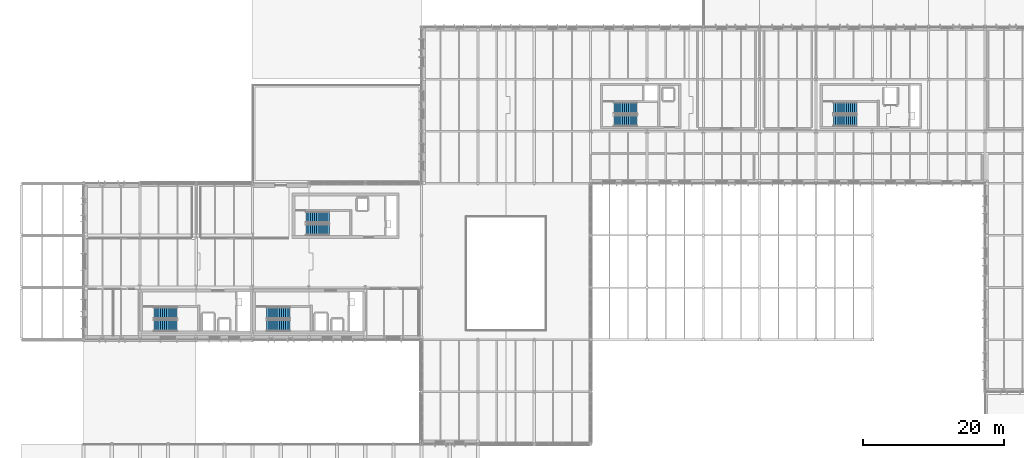
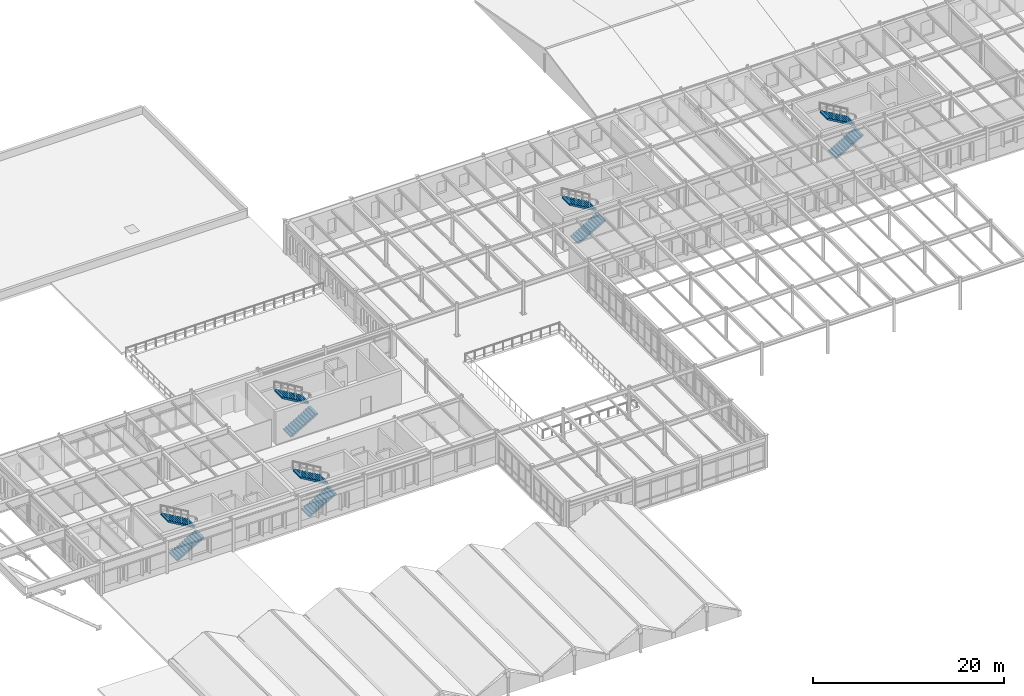
# One storey, part 48 of 63: 10 stair flights, 5 elements without a shape of their own.
"""IFC4 building model written with IfcOpenShell, lengths in metres."""

import ifcopenshell
import ifcopenshell.guid

model = None  # the IFC model being written
_history = None  # IfcOwnerHistory: only IFC2X3 demands one
_inside = {}  # id of a spatial element -> (the spatial element, [elements in it])
_under = {}  # id of a project, library or spatial element -> (it, [spatial elements below it])
_declared = {}  # id of a project -> (the project, [libraries it declares])
_typed = {}  # id of a type object -> (the type object, [elements of that type])
_made_of = {}  # id of a material, layer set ... -> (it, [elements and type objects made of it])


def new_model(schema):
    """Start an empty IFC model of exactly this schema.

    Asked for "IFC4X3", IfcOpenShell would pick the latest addendum, in which some entities
    have other attributes; the version numbers below select the first issue.
    IFC2X3 requires an IfcOwnerHistory on every rooted entity: one is made here for all.
    """
    global model, _history
    if schema == "IFC4X3":
        model = ifcopenshell.file(schema_version=(4, 3, 0, 0))
    else:
        model = ifcopenshell.file(schema=schema)
    _inside.clear()
    _under.clear()
    _declared.clear()
    _typed.clear()
    _made_of.clear()
    _history = None
    if model.schema == "IFC2X3":
        org = make("IfcOrganization", Name="unknown")
        user = make(
            "IfcPersonAndOrganization",
            ThePerson=make("IfcPerson", FamilyName="unknown"),
            TheOrganization=org,
        )
        app = make(
            "IfcApplication",
            ApplicationDeveloper=org,
            Version="unknown",
            ApplicationFullName="unknown",
            ApplicationIdentifier="unknown",
        )
        _history = make(
            "IfcOwnerHistory",
            OwningUser=user,
            OwningApplication=app,
            ChangeAction="ADDED",
            CreationDate=0,
        )
    return model


def make(cls, **values):
    """One entity of the class cls with the attributes given. An attribute that is None is left unset."""
    return model.create_entity(
        cls, **{name: value for name, value in values.items() if value is not None}
    )


def rooted(cls, **values):
    """An entity with a GlobalId (a new one), such as an element, a storey or a relation."""
    return make(cls, GlobalId=ifcopenshell.guid.new(), OwnerHistory=_history, **values)


def si_unit(unit_type, name, prefix=None):
    """IfcSIUnit, for example si_unit("LENGTHUNIT", "METRE", prefix="MILLI")."""
    return make("IfcSIUnit", UnitType=unit_type, Prefix=prefix, Name=name)


def assignment(units):
    """IfcUnitAssignment: the units of a project."""
    return None if units is None else make("IfcUnitAssignment", Units=units)


def point(xyz):
    """IfcCartesianPoint."""
    return None if xyz is None else make("IfcCartesianPoint", Coordinates=xyz)


def direction(xyz):
    """IfcDirection."""
    return None if xyz is None else make("IfcDirection", DirectionRatios=xyz)


def frame(location, z_axis=None, x_axis=None):
    """IfcAxis2Placement3D, a coordinate frame: its origin and axes. An axis left out is left unset."""
    return make(
        "IfcAxis2Placement3D",
        Location=point(location),
        Axis=direction(z_axis),
        RefDirection=direction(x_axis),
    )


def origin():
    """The frame at (0, 0, 0) with its axes left unset."""
    return frame((0.0, 0.0, 0.0))


def place(relative_to, where):
    """IfcLocalPlacement: puts the frame where relative to a parent placement (None: the world)."""
    return make(
        "IfcLocalPlacement", PlacementRelTo=relative_to, RelativePlacement=where
    )


def context(
    kind, dimensions, precision=None, world=None, true_north=None, identifier=None
):
    """IfcGeometricRepresentationContext, for example the 3D "Model" context."""
    return make(
        "IfcGeometricRepresentationContext",
        ContextIdentifier=identifier,
        ContextType=kind,
        CoordinateSpaceDimension=dimensions,
        Precision=precision,
        WorldCoordinateSystem=world,
        TrueNorth=true_north,
    )


def subcontext(parent, identifier, kind, view, scale=None):
    """IfcGeometricRepresentationSubContext, for example "Body" below "Model"."""
    return make(
        "IfcGeometricRepresentationSubContext",
        ContextIdentifier=identifier,
        ContextType=kind,
        ParentContext=parent,
        TargetScale=scale,
        TargetView=view,
    )


def project(units=None, contexts=None):
    """IfcProject with its units and contexts."""
    return rooted(
        "IfcProject",
        Name="project",
        RepresentationContexts=contexts,
        UnitsInContext=assignment(units),
    )


def spatial(cls, under=None, at=None, **own):
    """A site, building, storey or space (cls), placed at a placement, below another one or the project."""
    s = rooted(cls, ObjectPlacement=at, **own)
    if under is not None:
        _under.setdefault(under.id(), (under, []))[1].append(s)
    return s


def polyline(points):
    """IfcPolyline through the points."""
    return make("IfcPolyline", Points=[point(p) for p in points])


def outline(outer, holes=None, kind="AREA"):
    """IfcArbitraryClosedProfileDef: a profile drawn as a closed curve; with holes, ...WithVoids."""
    if holes is None:
        return make("IfcArbitraryClosedProfileDef", ProfileType=kind, OuterCurve=outer)
    return make(
        "IfcArbitraryProfileDefWithVoids",
        ProfileType=kind,
        OuterCurve=outer,
        InnerCurves=holes,
    )


def extrude(swept, where, along, depth):
    """IfcExtrudedAreaSolid: the profile swept, set in the frame where, extruded along a direction by depth."""
    return make(
        "IfcExtrudedAreaSolid",
        SweptArea=swept,
        Position=where,
        ExtrudedDirection=direction(along),
        Depth=depth,
    )


def shape(context_of_items, identifier, shape_type, items):
    """IfcShapeRepresentation: the items that make up one representation, for example the "Body"."""
    return make(
        "IfcShapeRepresentation",
        ContextOfItems=context_of_items,
        RepresentationIdentifier=identifier,
        RepresentationType=shape_type,
        Items=items,
    )


def material(Name=None, Category=None):
    """IfcMaterial."""
    return make("IfcMaterial", Name=Name, Category=Category)


def made_of(thing, what):
    """Note that an element or type object is made of a material, layer set ...; save() writes the relation."""
    if what is not None:
        _made_of.setdefault(what.id(), (what, []))[1].append(thing)
    return thing


def type_object(cls, material=None, **own):
    """A type object (cls), such as IfcWallType, which elements share."""
    return made_of(rooted(cls, **own), material)


def element(
    cls,
    number,
    at=None,
    inside=None,
    cuts=None,
    type_object=None,
    material=None,
    context=None,
    identifier="Body",
    shape_type=None,
    held_by="IfcProductDefinitionShape",
    body=None,
    shapes=None,
    **own,
):
    """One element of the class cls, such as IfcWall. Its Tag is "e" and its number.

    at: its placement. inside: the storey or other place that contains it. cuts: it is an
    opening in that element (IfcRelVoidsElement). A single representation is given by context,
    identifier, shape_type and body (its items); several are given by shapes. held_by: the class
    of the entity that holds the representations. save() writes the other relations.
    """
    e = rooted(cls, Tag="e%d" % number, ObjectPlacement=at, **own)
    if body is not None:
        shapes = [shape(context, identifier, shape_type, body)]
    if shapes is not None:
        e.Representation = make(held_by, Representations=shapes)
    if inside is not None:
        _inside.setdefault(inside.id(), (inside, []))[1].append(e)
    if cuts is not None:
        rooted(
            "IfcRelVoidsElement", RelatingBuildingElement=cuts, RelatedOpeningElement=e
        )
    if type_object is not None:
        _typed.setdefault(type_object.id(), (type_object, []))[1].append(e)
    return made_of(e, material)


def aggregate(whole, parts):
    """IfcRelAggregates: a whole, such as a stair, and the parts it consists of."""
    return rooted("IfcRelAggregates", RelatingObject=whole, RelatedObjects=parts)


def save(model, path):
    """Write the relations noted so far, then the file.

    IfcRelAggregates (storeys below a building ...), IfcRelContainedInSpatialStructure (elements
    in a storey), IfcRelDefinesByType, IfcRelAssociatesMaterial and IfcRelDeclares: one each for
    every whole, place, type object, material and project.
    """
    for whole, parts in _under.values():
        aggregate(whole, parts)
    for where, things in _inside.values():
        rooted(
            "IfcRelContainedInSpatialStructure",
            RelatedElements=things,
            RelatingStructure=where,
        )
    for kind, things in _typed.values():
        rooted("IfcRelDefinesByType", RelatedObjects=things, RelatingType=kind)
    for what, things in _made_of.values():
        rooted("IfcRelAssociatesMaterial", RelatedObjects=things, RelatingMaterial=what)
    for by, libraries in _declared.values():
        rooted("IfcRelDeclares", RelatingContext=by, RelatedDefinitions=libraries)
    model.write(path)


model = new_model("IFC4")

# Units and contexts
model_context = context("Model", 3, precision=1e-05, world=origin(), true_north=direction((0.0, 1.0)))
body_context = subcontext(model_context, "Body", "Model", "MODEL_VIEW")
ifc_project = project(units=[si_unit("LENGTHUNIT", "METRE"), si_unit("AREAUNIT", "SQUARE_METRE"), si_unit("VOLUMEUNIT", "CUBIC_METRE"), si_unit("PLANEANGLEUNIT", "RADIAN"), si_unit("MASSUNIT", "GRAM", prefix="KILO")], contexts=[model_context])

# Site, building, storey
site_placement = place(None, origin())
site = spatial("IfcSite", under=ifc_project, at=site_placement, CompositionType="ELEMENT")
building_placement = place(site_placement, origin())
building = spatial("IfcBuilding", under=site, at=building_placement, Name="Valkorina Park Police Headquarters", CompositionType="ELEMENT")
storey_placement = place(building_placement, frame((0.0, 0.0, 9.89990234375)))
storey = spatial("IfcBuildingStorey", under=building, at=storey_placement, Name="L03", CompositionType="ELEMENT", Elevation=9.89990234375)

# Stair, stair flights
ifc_material = material(Name="Concrete C35/45", Category="concrete")
stair_type = type_object("IfcStairType", Name="ST-DOGLEG-160-42", PredefinedType="HALF_TURN_STAIR", material=ifc_material)
stair_1_placement = place(storey_placement, origin())
stair_1 = element("IfcStair", 1, at=stair_1_placement, inside=storey, type_object=stair_type, Name="L03 Core C1 Protected Stair (ST-04)", PredefinedType="HALF_TURN_STAIR")
stair_flight_type = type_object("IfcStairFlightType", Name="STF-STRAIGHT-160-42", PredefinedType="STRAIGHT", material=ifc_material)
stair_flight_1_placement = place(storey_placement, frame((18.800048828125, 39.0, 0.0), z_axis=(0.0, 0.0, 1.0), x_axis=(1.0, 0.0, 0.0)))
stair_flight_1 = element("IfcStairFlight", 2, at=stair_flight_1_placement, type_object=stair_flight_type, Name="ST-04 flight 1", NumberOfRisers=12, NumberOfTreads=11, PredefinedType="STRAIGHT", RiserHeight=0.175, TreadLength=0.3, context=body_context, shape_type="SweptSolid", body=[
    extrude(outline(polyline([(0.0, 0.0), (0.0, 0.175048828125), (0.300048828125, 0.175048828125), (0.300048828125, 0.35009765625), (0.60009765625, 0.35009765625), (0.60009765625, 0.52490234375), (0.89990234375, 0.52490234375), (0.89990234375, 0.699951171875), (1.199951171875, 0.699951171875), (1.199951171875, 0.875), (1.5, 0.875), (1.5, 1.050048828125), (1.800048828125, 1.050048828125), (1.800048828125, 1.22509765625), (2.10009765625, 1.22509765625), (2.10009765625, 1.39990234375), (2.39990234375, 1.39990234375), (2.39990234375, 1.574951171875), (2.699951171875, 1.574951171875), (2.699951171875, 1.75), (3.0, 1.75), (3.0, 1.925048828125), (3.300048828125, 1.925048828125), (3.300048828125, 2.10009765625), (3.300048828125, 1.739990234375), (0.3173828125, 0.0), (0.0, 0.0)])), frame((0.0, 0.800048828125, 0.0), z_axis=(0.0, -1.0, 0.0), x_axis=(1.0, 0.0, 0.0)), (0.0, 0.0, 1.0), 1.60009765625),
])
stair_flight_2_placement = place(storey_placement, frame((22.10009765625, 40.800048828125, 2.10009765625), z_axis=(0.0, 0.0, 1.0), x_axis=(-1.0, 0.0, 0.0)))
stair_flight_2 = element("IfcStairFlight", 3, at=stair_flight_2_placement, type_object=stair_flight_type, Name="ST-04 flight 2", NumberOfRisers=12, NumberOfTreads=11, PredefinedType="STRAIGHT", RiserHeight=0.175, TreadLength=0.3, context=body_context, shape_type="SweptSolid", body=[
    extrude(outline(polyline([(0.0, 0.0), (0.0, 0.175048828125), (0.300048828125, 0.175048828125), (0.300048828125, 0.35009765625), (0.60009765625, 0.35009765625), (0.60009765625, 0.52490234375), (0.89990234375, 0.52490234375), (0.89990234375, 0.699951171875), (1.199951171875, 0.699951171875), (1.199951171875, 0.875), (1.5, 0.875), (1.5, 1.050048828125), (1.800048828125, 1.050048828125), (1.800048828125, 1.22509765625), (2.10009765625, 1.22509765625), (2.10009765625, 1.39990234375), (2.39990234375, 1.39990234375), (2.39990234375, 1.574951171875), (2.699951171875, 1.574951171875), (2.699951171875, 1.75), (3.0, 1.75), (3.0, 1.925048828125), (3.300048828125, 1.925048828125), (3.300048828125, 2.10009765625), (3.300048828125, 1.739990234375), (0.3173828125, 0.0), (0.0, 0.0)])), frame((0.0, 0.800048828125, 0.0), z_axis=(0.0, -1.0, 0.0), x_axis=(1.0, 0.0, 0.0)), (0.0, 0.0, 1.0), 1.60009765625),
])
aggregate(stair_1, [stair_flight_1, stair_flight_2])

stair_2_placement = place(storey_placement, origin())
stair_2 = element("IfcStair", 4, at=stair_2_placement, inside=storey, type_object=stair_type, Name="L03 Core C2 Protected Stair (ST-04)", PredefinedType="HALF_TURN_STAIR")
stair_flight_3_placement = place(storey_placement, frame((34.800048828125, 39.0, 0.0), z_axis=(0.0, 0.0, 1.0), x_axis=(1.0, 0.0, 0.0)))
stair_flight_3 = element("IfcStairFlight", 5, at=stair_flight_3_placement, type_object=stair_flight_type, Name="ST-04 flight 1", NumberOfRisers=12, NumberOfTreads=11, PredefinedType="STRAIGHT", RiserHeight=0.175, TreadLength=0.3, context=body_context, shape_type="SweptSolid", body=[
    extrude(outline(polyline([(0.0, 0.0), (0.0, 0.175048828125), (0.300048828125, 0.175048828125), (0.300048828125, 0.35009765625), (0.60009765625, 0.35009765625), (0.60009765625, 0.52490234375), (0.89990234375, 0.52490234375), (0.89990234375, 0.699951171875), (1.199951171875, 0.699951171875), (1.199951171875, 0.875), (1.5, 0.875), (1.5, 1.050048828125), (1.800048828125, 1.050048828125), (1.800048828125, 1.22509765625), (2.10009765625, 1.22509765625), (2.10009765625, 1.39990234375), (2.39990234375, 1.39990234375), (2.39990234375, 1.574951171875), (2.699951171875, 1.574951171875), (2.699951171875, 1.75), (3.0, 1.75), (3.0, 1.925048828125), (3.300048828125, 1.925048828125), (3.300048828125, 2.10009765625), (3.300048828125, 1.739990234375), (0.3173828125, 0.0), (0.0, 0.0)])), frame((0.0, 0.800048828125, 0.0), z_axis=(0.0, -1.0, 0.0), x_axis=(1.0, 0.0, 0.0)), (0.0, 0.0, 1.0), 1.60009765625),
])
stair_flight_4_placement = place(storey_placement, frame((38.10009765625, 40.800048828125, 2.10009765625), z_axis=(0.0, 0.0, 1.0), x_axis=(-1.0, 0.0, 0.0)))
stair_flight_4 = element("IfcStairFlight", 6, at=stair_flight_4_placement, type_object=stair_flight_type, Name="ST-04 flight 2", NumberOfRisers=12, NumberOfTreads=11, PredefinedType="STRAIGHT", RiserHeight=0.175, TreadLength=0.3, context=body_context, shape_type="SweptSolid", body=[
    extrude(outline(polyline([(0.0, 0.0), (0.0, 0.175048828125), (0.300048828125, 0.175048828125), (0.300048828125, 0.35009765625), (0.60009765625, 0.35009765625), (0.60009765625, 0.52490234375), (0.89990234375, 0.52490234375), (0.89990234375, 0.699951171875), (1.199951171875, 0.699951171875), (1.199951171875, 0.875), (1.5, 0.875), (1.5, 1.050048828125), (1.800048828125, 1.050048828125), (1.800048828125, 1.22509765625), (2.10009765625, 1.22509765625), (2.10009765625, 1.39990234375), (2.39990234375, 1.39990234375), (2.39990234375, 1.574951171875), (2.699951171875, 1.574951171875), (2.699951171875, 1.75), (3.0, 1.75), (3.0, 1.925048828125), (3.300048828125, 1.925048828125), (3.300048828125, 2.10009765625), (3.300048828125, 1.739990234375), (0.3173828125, 0.0), (0.0, 0.0)])), frame((0.0, 0.800048828125, 0.0), z_axis=(0.0, -1.0, 0.0), x_axis=(1.0, 0.0, 0.0)), (0.0, 0.0, 1.0), 1.60009765625),
])
aggregate(stair_2, [stair_flight_3, stair_flight_4])

stair_3_placement = place(storey_placement, origin())
stair_3 = element("IfcStair", 7, at=stair_3_placement, inside=storey, type_object=stair_type, Name="L03 Core C3 Protected Stair (ST-04)", PredefinedType="HALF_TURN_STAIR")
stair_flight_5_placement = place(storey_placement, frame((40.39990234375, 52.60009765625, 0.0), z_axis=(0.0, 0.0, 1.0), x_axis=(1.0, 0.0, 0.0)))
stair_flight_5 = element("IfcStairFlight", 8, at=stair_flight_5_placement, type_object=stair_flight_type, Name="ST-04 flight 1", NumberOfRisers=12, NumberOfTreads=11, PredefinedType="STRAIGHT", RiserHeight=0.175, TreadLength=0.3, context=body_context, shape_type="SweptSolid", body=[
    extrude(outline(polyline([(0.0, 0.0), (0.0, 0.175048828125), (0.300048828125, 0.175048828125), (0.300048828125, 0.35009765625), (0.60009765625, 0.35009765625), (0.60009765625, 0.52490234375), (0.89990234375, 0.52490234375), (0.89990234375, 0.699951171875), (1.199951171875, 0.699951171875), (1.199951171875, 0.875), (1.5, 0.875), (1.5, 1.050048828125), (1.800048828125, 1.050048828125), (1.800048828125, 1.22509765625), (2.10009765625, 1.22509765625), (2.10009765625, 1.39990234375), (2.39990234375, 1.39990234375), (2.39990234375, 1.574951171875), (2.699951171875, 1.574951171875), (2.699951171875, 1.75), (3.0, 1.75), (3.0, 1.925048828125), (3.300048828125, 1.925048828125), (3.300048828125, 2.10009765625), (3.300048828125, 1.739990234375), (0.3173828125, 0.0), (0.0, 0.0)])), frame((0.0, 0.800048828125, 0.0), z_axis=(0.0, -1.0, 0.0), x_axis=(1.0, 0.0, 0.0)), (0.0, 0.0, 1.0), 1.60009765625),
])
stair_flight_6_placement = place(storey_placement, frame((43.699951171875, 54.39990234375, 2.10009765625), z_axis=(0.0, 0.0, 1.0), x_axis=(-1.0, 0.0, 0.0)))
stair_flight_6 = element("IfcStairFlight", 9, at=stair_flight_6_placement, type_object=stair_flight_type, Name="ST-04 flight 2", NumberOfRisers=12, NumberOfTreads=11, PredefinedType="STRAIGHT", RiserHeight=0.175, TreadLength=0.3, context=body_context, shape_type="SweptSolid", body=[
    extrude(outline(polyline([(0.0, 0.0), (0.0, 0.175048828125), (0.300048828125, 0.175048828125), (0.300048828125, 0.35009765625), (0.60009765625, 0.35009765625), (0.60009765625, 0.52490234375), (0.89990234375, 0.52490234375), (0.89990234375, 0.699951171875), (1.199951171875, 0.699951171875), (1.199951171875, 0.875), (1.5, 0.875), (1.5, 1.050048828125), (1.800048828125, 1.050048828125), (1.800048828125, 1.22509765625), (2.10009765625, 1.22509765625), (2.10009765625, 1.39990234375), (2.39990234375, 1.39990234375), (2.39990234375, 1.574951171875), (2.699951171875, 1.574951171875), (2.699951171875, 1.75), (3.0, 1.75), (3.0, 1.925048828125), (3.300048828125, 1.925048828125), (3.300048828125, 2.10009765625), (3.300048828125, 1.739990234375), (0.3173828125, 0.0), (0.0, 0.0)])), frame((0.0, 0.800048828125, 0.0), z_axis=(0.0, -1.0, 0.0), x_axis=(1.0, 0.0, 0.0)), (0.0, 0.0, 1.0), 1.60009765625),
])
aggregate(stair_3, [stair_flight_5, stair_flight_6])

stair_4_placement = place(storey_placement, origin())
stair_4 = element("IfcStair", 10, at=stair_4_placement, inside=storey, type_object=stair_type, Name="L03 Core C5 Protected Stair (ST-04)", PredefinedType="HALF_TURN_STAIR")
stair_flight_7_placement = place(storey_placement, frame((115.300048828125, 68.10009765625, 0.0), z_axis=(0.0, 0.0, 1.0), x_axis=(1.0, 0.0, 0.0)))
stair_flight_7 = element("IfcStairFlight", 11, at=stair_flight_7_placement, type_object=stair_flight_type, Name="ST-04 flight 1", NumberOfRisers=12, NumberOfTreads=11, PredefinedType="STRAIGHT", RiserHeight=0.175, TreadLength=0.3, context=body_context, shape_type="SweptSolid", body=[
    extrude(outline(polyline([(0.0, 0.0), (0.0, 0.175048828125), (0.300048828125, 0.175048828125), (0.300048828125, 0.35009765625), (0.60009765625, 0.35009765625), (0.60009765625, 0.52490234375), (0.89990234375, 0.52490234375), (0.89990234375, 0.699951171875), (1.199951171875, 0.699951171875), (1.199951171875, 0.875), (1.5, 0.875), (1.5, 1.050048828125), (1.800048828125, 1.050048828125), (1.800048828125, 1.22509765625), (2.10009765625, 1.22509765625), (2.10009765625, 1.39990234375), (2.39990234375, 1.39990234375), (2.39990234375, 1.574951171875), (2.699951171875, 1.574951171875), (2.699951171875, 1.75), (3.0, 1.75), (3.0, 1.925048828125), (3.300048828125, 1.925048828125), (3.300048828125, 2.10009765625), (3.300048828125, 1.739990234375), (0.3173828125, 0.0), (0.0, 0.0)])), frame((0.0, 0.800048828125, 0.0), z_axis=(0.0, -1.0, 0.0), x_axis=(1.0, 0.0, 0.0)), (0.0, 0.0, 1.0), 1.60009765625),
])
stair_flight_8_placement = place(storey_placement, frame((118.60009765625, 69.89990234375, 2.10009765625), z_axis=(0.0, 0.0, 1.0), x_axis=(-1.0, 0.0, 0.0)))
stair_flight_8 = element("IfcStairFlight", 12, at=stair_flight_8_placement, type_object=stair_flight_type, Name="ST-04 flight 2", NumberOfRisers=12, NumberOfTreads=11, PredefinedType="STRAIGHT", RiserHeight=0.175, TreadLength=0.3, context=body_context, shape_type="SweptSolid", body=[
    extrude(outline(polyline([(0.0, 0.0), (0.0, 0.175048828125), (0.300048828125, 0.175048828125), (0.300048828125, 0.35009765625), (0.60009765625, 0.35009765625), (0.60009765625, 0.52490234375), (0.89990234375, 0.52490234375), (0.89990234375, 0.699951171875), (1.199951171875, 0.699951171875), (1.199951171875, 0.875), (1.5, 0.875), (1.5, 1.050048828125), (1.800048828125, 1.050048828125), (1.800048828125, 1.22509765625), (2.10009765625, 1.22509765625), (2.10009765625, 1.39990234375), (2.39990234375, 1.39990234375), (2.39990234375, 1.574951171875), (2.699951171875, 1.574951171875), (2.699951171875, 1.75), (3.0, 1.75), (3.0, 1.925048828125), (3.300048828125, 1.925048828125), (3.300048828125, 2.10009765625), (3.300048828125, 1.739990234375), (0.3173828125, 0.0), (0.0, 0.0)])), frame((0.0, 0.800048828125, 0.0), z_axis=(0.0, -1.0, 0.0), x_axis=(1.0, 0.0, 0.0)), (0.0, 0.0, 1.0), 1.60009765625),
])
aggregate(stair_4, [stair_flight_7, stair_flight_8])

stair_5_placement = place(storey_placement, origin())
stair_5 = element("IfcStair", 13, at=stair_5_placement, inside=storey, type_object=stair_type, Name="L03 Core C6 Protected Stair (ST-04)", PredefinedType="HALF_TURN_STAIR")
stair_flight_9_placement = place(storey_placement, frame((84.10009765625, 68.10009765625, 0.0), z_axis=(0.0, 0.0, 1.0), x_axis=(1.0, 0.0, 0.0)))
stair_flight_9 = element("IfcStairFlight", 14, at=stair_flight_9_placement, type_object=stair_flight_type, Name="ST-04 flight 1", NumberOfRisers=12, NumberOfTreads=11, PredefinedType="STRAIGHT", RiserHeight=0.175, TreadLength=0.3, context=body_context, shape_type="SweptSolid", body=[
    extrude(outline(polyline([(0.0, 0.0), (0.0, 0.175048828125), (0.300048828125, 0.175048828125), (0.300048828125, 0.35009765625), (0.60009765625, 0.35009765625), (0.60009765625, 0.52490234375), (0.89990234375, 0.52490234375), (0.89990234375, 0.699951171875), (1.199951171875, 0.699951171875), (1.199951171875, 0.875), (1.5, 0.875), (1.5, 1.050048828125), (1.800048828125, 1.050048828125), (1.800048828125, 1.22509765625), (2.10009765625, 1.22509765625), (2.10009765625, 1.39990234375), (2.39990234375, 1.39990234375), (2.39990234375, 1.574951171875), (2.699951171875, 1.574951171875), (2.699951171875, 1.75), (3.0, 1.75), (3.0, 1.925048828125), (3.300048828125, 1.925048828125), (3.300048828125, 2.10009765625), (3.300048828125, 1.739990234375), (0.3173828125, 0.0), (0.0, 0.0)])), frame((0.0, 0.800048828125, 0.0), z_axis=(0.0, -1.0, 0.0), x_axis=(1.0, 0.0, 0.0)), (0.0, 0.0, 1.0), 1.60009765625),
])
stair_flight_10_placement = place(storey_placement, frame((87.39990234375, 69.89990234375, 2.10009765625), z_axis=(0.0, 0.0, 1.0), x_axis=(-1.0, 0.0, 0.0)))
stair_flight_10 = element("IfcStairFlight", 15, at=stair_flight_10_placement, type_object=stair_flight_type, Name="ST-04 flight 2", NumberOfRisers=12, NumberOfTreads=11, PredefinedType="STRAIGHT", RiserHeight=0.175, TreadLength=0.3, context=body_context, shape_type="SweptSolid", body=[
    extrude(outline(polyline([(0.0, 0.0), (0.0, 0.175048828125), (0.300048828125, 0.175048828125), (0.300048828125, 0.35009765625), (0.60009765625, 0.35009765625), (0.60009765625, 0.52490234375), (0.89990234375, 0.52490234375), (0.89990234375, 0.699951171875), (1.199951171875, 0.699951171875), (1.199951171875, 0.875), (1.5, 0.875), (1.5, 1.050048828125), (1.800048828125, 1.050048828125), (1.800048828125, 1.22509765625), (2.10009765625, 1.22509765625), (2.10009765625, 1.39990234375), (2.39990234375, 1.39990234375), (2.39990234375, 1.574951171875), (2.699951171875, 1.574951171875), (2.699951171875, 1.75), (3.0, 1.75), (3.0, 1.925048828125), (3.300048828125, 1.925048828125), (3.300048828125, 2.10009765625), (3.300048828125, 1.739990234375), (0.3173828125, 0.0), (0.0, 0.0)])), frame((0.0, 0.800048828125, 0.0), z_axis=(0.0, -1.0, 0.0), x_axis=(1.0, 0.0, 0.0)), (0.0, 0.0, 1.0), 1.60009765625),
])
aggregate(stair_5, [stair_flight_9, stair_flight_10])

save(model, "model.ifc")
